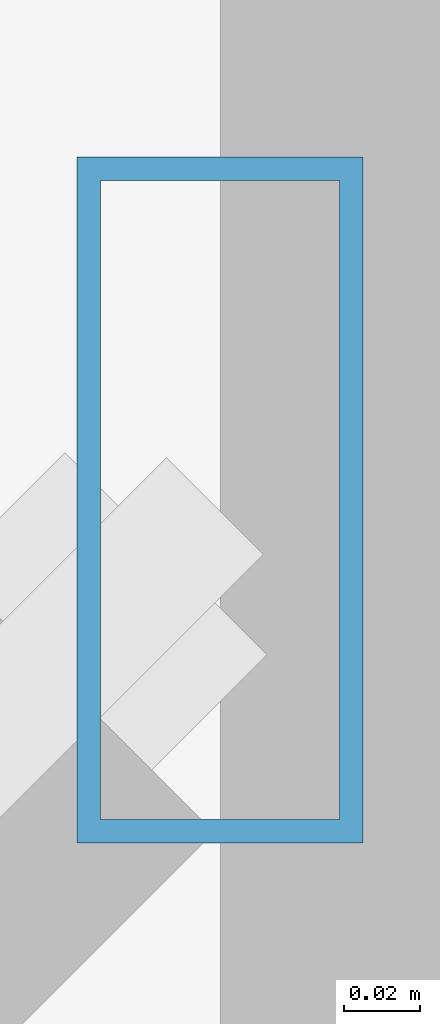
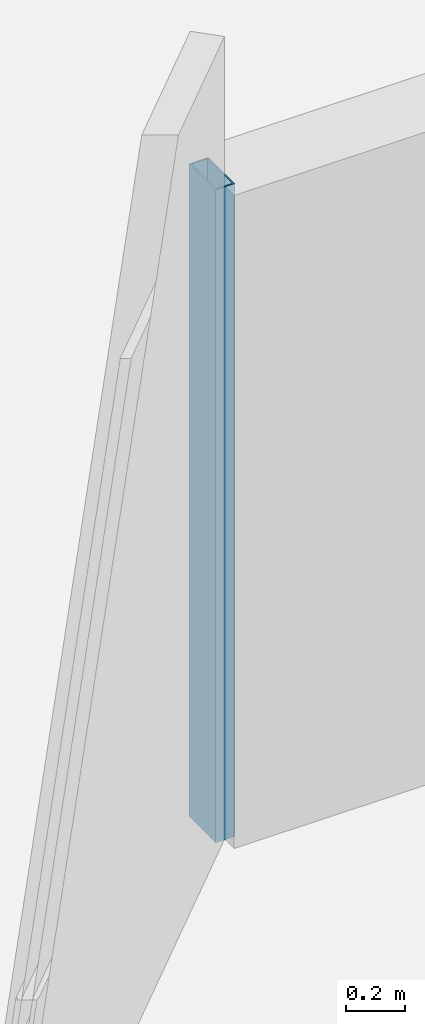
# One storey, part 16 of 32: 1 member, 1 element without a shape of its own.
"""IFC4 building model written with IfcOpenShell, lengths in metres."""

import ifcopenshell
import ifcopenshell.guid

model = None  # the IFC model being written
_history = None  # IfcOwnerHistory: only IFC2X3 demands one
_inside = {}  # id of a spatial element -> (the spatial element, [elements in it])
_under = {}  # id of a project, library or spatial element -> (it, [spatial elements below it])
_declared = {}  # id of a project -> (the project, [libraries it declares])
_typed = {}  # id of a type object -> (the type object, [elements of that type])
_made_of = {}  # id of a material, layer set ... -> (it, [elements and type objects made of it])


def new_model(schema):
    """Start an empty IFC model of exactly this schema.

    Asked for "IFC4X3", IfcOpenShell would pick the latest addendum, in which some entities
    have other attributes; the version numbers below select the first issue.
    IFC2X3 requires an IfcOwnerHistory on every rooted entity: one is made here for all.
    """
    global model, _history
    if schema == "IFC4X3":
        model = ifcopenshell.file(schema_version=(4, 3, 0, 0))
    else:
        model = ifcopenshell.file(schema=schema)
    _inside.clear()
    _under.clear()
    _declared.clear()
    _typed.clear()
    _made_of.clear()
    _history = None
    if model.schema == "IFC2X3":
        org = make("IfcOrganization", Name="unknown")
        user = make(
            "IfcPersonAndOrganization",
            ThePerson=make("IfcPerson", FamilyName="unknown"),
            TheOrganization=org,
        )
        app = make(
            "IfcApplication",
            ApplicationDeveloper=org,
            Version="unknown",
            ApplicationFullName="unknown",
            ApplicationIdentifier="unknown",
        )
        _history = make(
            "IfcOwnerHistory",
            OwningUser=user,
            OwningApplication=app,
            ChangeAction="ADDED",
            CreationDate=0,
        )
    return model


def make(cls, **values):
    """One entity of the class cls with the attributes given. An attribute that is None is left unset."""
    return model.create_entity(
        cls, **{name: value for name, value in values.items() if value is not None}
    )


def rooted(cls, **values):
    """An entity with a GlobalId (a new one), such as an element, a storey or a relation."""
    return make(cls, GlobalId=ifcopenshell.guid.new(), OwnerHistory=_history, **values)


def si_unit(unit_type, name, prefix=None):
    """IfcSIUnit, for example si_unit("LENGTHUNIT", "METRE", prefix="MILLI")."""
    return make("IfcSIUnit", UnitType=unit_type, Prefix=prefix, Name=name)


def assignment(units):
    """IfcUnitAssignment: the units of a project."""
    return None if units is None else make("IfcUnitAssignment", Units=units)


def point(xyz):
    """IfcCartesianPoint."""
    return None if xyz is None else make("IfcCartesianPoint", Coordinates=xyz)


def direction(xyz):
    """IfcDirection."""
    return None if xyz is None else make("IfcDirection", DirectionRatios=xyz)


def frame(location, z_axis=None, x_axis=None):
    """IfcAxis2Placement3D, a coordinate frame: its origin and axes. An axis left out is left unset."""
    return make(
        "IfcAxis2Placement3D",
        Location=point(location),
        Axis=direction(z_axis),
        RefDirection=direction(x_axis),
    )


def frame_2d(location, x_axis=None):
    """IfcAxis2Placement2D, a coordinate frame in the plane: its origin and x axis."""
    return make(
        "IfcAxis2Placement2D", Location=point(location), RefDirection=direction(x_axis)
    )


def origin():
    """The frame at (0, 0, 0) with its axes left unset."""
    return frame((0.0, 0.0, 0.0))


def origin_2d():
    """The frame at (0, 0) in the plane with its x axis left unset."""
    return frame_2d((0.0, 0.0))


def place(relative_to, where):
    """IfcLocalPlacement: puts the frame where relative to a parent placement (None: the world)."""
    return make(
        "IfcLocalPlacement", PlacementRelTo=relative_to, RelativePlacement=where
    )


def context(
    kind, dimensions, precision=None, world=None, true_north=None, identifier=None
):
    """IfcGeometricRepresentationContext, for example the 3D "Model" context."""
    return make(
        "IfcGeometricRepresentationContext",
        ContextIdentifier=identifier,
        ContextType=kind,
        CoordinateSpaceDimension=dimensions,
        Precision=precision,
        WorldCoordinateSystem=world,
        TrueNorth=true_north,
    )


def subcontext(parent, identifier, kind, view, scale=None):
    """IfcGeometricRepresentationSubContext, for example "Body" below "Model"."""
    return make(
        "IfcGeometricRepresentationSubContext",
        ContextIdentifier=identifier,
        ContextType=kind,
        ParentContext=parent,
        TargetScale=scale,
        TargetView=view,
    )


def project(units=None, contexts=None):
    """IfcProject with its units and contexts."""
    return rooted(
        "IfcProject",
        Name="project",
        RepresentationContexts=contexts,
        UnitsInContext=assignment(units),
    )


def spatial(cls, under=None, at=None, **own):
    """A site, building, storey or space (cls), placed at a placement, below another one or the project."""
    s = rooted(cls, ObjectPlacement=at, **own)
    if under is not None:
        _under.setdefault(under.id(), (under, []))[1].append(s)
    return s


def profile(cls, at=None, kind="AREA", **sizes):
    """A parametric profile (cls). Its sizes go by their IFC names, for example OverallWidth=200.0."""
    return make(cls, ProfileType=kind, Position=at, **sizes)


def hollow_rectangle(**sizes):
    """IfcRectangleHollowProfileDef."""
    return profile("IfcRectangleHollowProfileDef", **sizes)


def extrude(swept, where, along, depth):
    """IfcExtrudedAreaSolid: the profile swept, set in the frame where, extruded along a direction by depth."""
    return make(
        "IfcExtrudedAreaSolid",
        SweptArea=swept,
        Position=where,
        ExtrudedDirection=direction(along),
        Depth=depth,
    )


def shape(context_of_items, identifier, shape_type, items):
    """IfcShapeRepresentation: the items that make up one representation, for example the "Body"."""
    return make(
        "IfcShapeRepresentation",
        ContextOfItems=context_of_items,
        RepresentationIdentifier=identifier,
        RepresentationType=shape_type,
        Items=items,
    )


def material(Name=None, Category=None):
    """IfcMaterial."""
    return make("IfcMaterial", Name=Name, Category=Category)


def material_profile(
    of_material, cross_section, Name=None, Category=None, Priority=None
):
    """IfcMaterialProfile: a cross section and its material."""
    return make(
        "IfcMaterialProfile",
        Name=Name,
        Material=of_material,
        Profile=cross_section,
        Priority=Priority,
        Category=Category,
    )


def profile_set(profiles, Name=None, composite=None):
    """IfcMaterialProfileSet."""
    return make(
        "IfcMaterialProfileSet",
        Name=Name,
        MaterialProfiles=profiles,
        CompositeProfile=composite,
    )


def made_of(thing, what):
    """Note that an element or type object is made of a material, layer set ...; save() writes the relation."""
    if what is not None:
        _made_of.setdefault(what.id(), (what, []))[1].append(thing)
    return thing


def type_object(cls, material=None, **own):
    """A type object (cls), such as IfcWallType, which elements share."""
    return made_of(rooted(cls, **own), material)


def element(
    cls,
    number,
    at=None,
    inside=None,
    cuts=None,
    type_object=None,
    material=None,
    context=None,
    identifier="Body",
    shape_type=None,
    held_by="IfcProductDefinitionShape",
    body=None,
    shapes=None,
    **own,
):
    """One element of the class cls, such as IfcWall. Its Tag is "e" and its number.

    at: its placement. inside: the storey or other place that contains it. cuts: it is an
    opening in that element (IfcRelVoidsElement). A single representation is given by context,
    identifier, shape_type and body (its items); several are given by shapes. held_by: the class
    of the entity that holds the representations. save() writes the other relations.
    """
    e = rooted(cls, Tag="e%d" % number, ObjectPlacement=at, **own)
    if body is not None:
        shapes = [shape(context, identifier, shape_type, body)]
    if shapes is not None:
        e.Representation = make(held_by, Representations=shapes)
    if inside is not None:
        _inside.setdefault(inside.id(), (inside, []))[1].append(e)
    if cuts is not None:
        rooted(
            "IfcRelVoidsElement", RelatingBuildingElement=cuts, RelatedOpeningElement=e
        )
    if type_object is not None:
        _typed.setdefault(type_object.id(), (type_object, []))[1].append(e)
    return made_of(e, material)


def aggregate(whole, parts):
    """IfcRelAggregates: a whole, such as a stair, and the parts it consists of."""
    return rooted("IfcRelAggregates", RelatingObject=whole, RelatedObjects=parts)


def save(model, path):
    """Write the relations noted so far, then the file.

    IfcRelAggregates (storeys below a building ...), IfcRelContainedInSpatialStructure (elements
    in a storey), IfcRelDefinesByType, IfcRelAssociatesMaterial and IfcRelDeclares: one each for
    every whole, place, type object, material and project.
    """
    for whole, parts in _under.values():
        aggregate(whole, parts)
    for where, things in _inside.values():
        rooted(
            "IfcRelContainedInSpatialStructure",
            RelatedElements=things,
            RelatingStructure=where,
        )
    for kind, things in _typed.values():
        rooted("IfcRelDefinesByType", RelatedObjects=things, RelatingType=kind)
    for what, things in _made_of.values():
        rooted("IfcRelAssociatesMaterial", RelatedObjects=things, RelatingMaterial=what)
    for by, libraries in _declared.values():
        rooted("IfcRelDeclares", RelatingContext=by, RelatedDefinitions=libraries)
    model.write(path)


model = new_model("IFC4")

# Units and contexts
model_context = context("Model", 3, precision=1e-05, world=origin(), true_north=direction((0.0, 1.0)))
body_context = subcontext(model_context, "Body", "Model", "MODEL_VIEW")
ifc_project = project(units=[si_unit("LENGTHUNIT", "METRE"), si_unit("AREAUNIT", "SQUARE_METRE"), si_unit("VOLUMEUNIT", "CUBIC_METRE"), si_unit("PLANEANGLEUNIT", "RADIAN"), si_unit("MASSUNIT", "GRAM", prefix="KILO")], contexts=[model_context])

# Site, building, storey
site_placement = place(None, origin())
site = spatial("IfcSite", under=ifc_project, at=site_placement, CompositionType="ELEMENT")
building_placement = place(site_placement, origin())
building = spatial("IfcBuilding", under=site, at=building_placement, Name="Thornwick Lancets Civic Towers", CompositionType="ELEMENT")
storey_placement = place(building_placement, frame((0.0, 0.0, 200.10009765625)))
storey = spatial("IfcBuildingStorey", under=building, at=storey_placement, Name="L53", CompositionType="ELEMENT", Elevation=200.10009765625)

# Curtain wall, member
ifc_material_1 = material(Name="High-zone chamfered-corner unitised glass curtain wall", Category="glass")
curtain_wall_type = type_object("IfcCurtainWallType", Name="CW_SYS_05", PredefinedType="NOTDEFINED", material=ifc_material_1)
curtain_wall_placement = place(storey_placement, origin())
curtain_wall = element("IfcCurtainWall", 1, at=curtain_wall_placement, inside=storey, type_object=curtain_wall_type, Name="L53 Curtain Wall CW-L53-B-E5", PredefinedType="NOTDEFINED")
ifc_material_2 = material(Name="Thermally broken bronze aluminium S355", Category="steel")
ifc_material_profile = material_profile(ifc_material_2, hollow_rectangle(XDim=0.074951171875, YDim=0.179931640625, WallThickness=0.006103515625, at=origin_2d()), Name="RHS 180x75x6")
ifc_profile_set = profile_set([ifc_material_profile], Name="Thermally broken bronze aluminium S355")
member_type = type_object("IfcMemberType", Name="CW_MUL_180", PredefinedType="MULLION", material=ifc_profile_set)
member_placement = place(storey_placement, frame((67.318603515625, 44.7646484375, 0.0), z_axis=(0.0, 0.0, 1.0), x_axis=(1.0, 0.0, 0.0)))
member = element("IfcMember", 2, at=member_placement, type_object=member_type, Name="CW-L53-B-E5 Mullion 0", PredefinedType="MULLION", context=body_context, shape_type="SweptSolid", body=[
    extrude(hollow_rectangle(XDim=0.074951171875, YDim=0.179931640625, WallThickness=0.006103515625, at=origin_2d()), origin(), (0.0, 0.0, 1.0), 2.699951171875),
])
aggregate(curtain_wall, [member])

save(model, "model.ifc")
